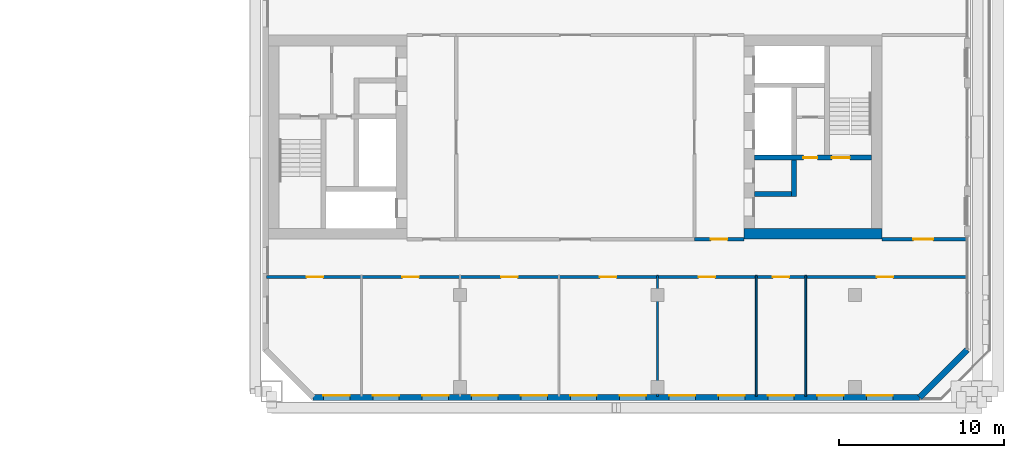
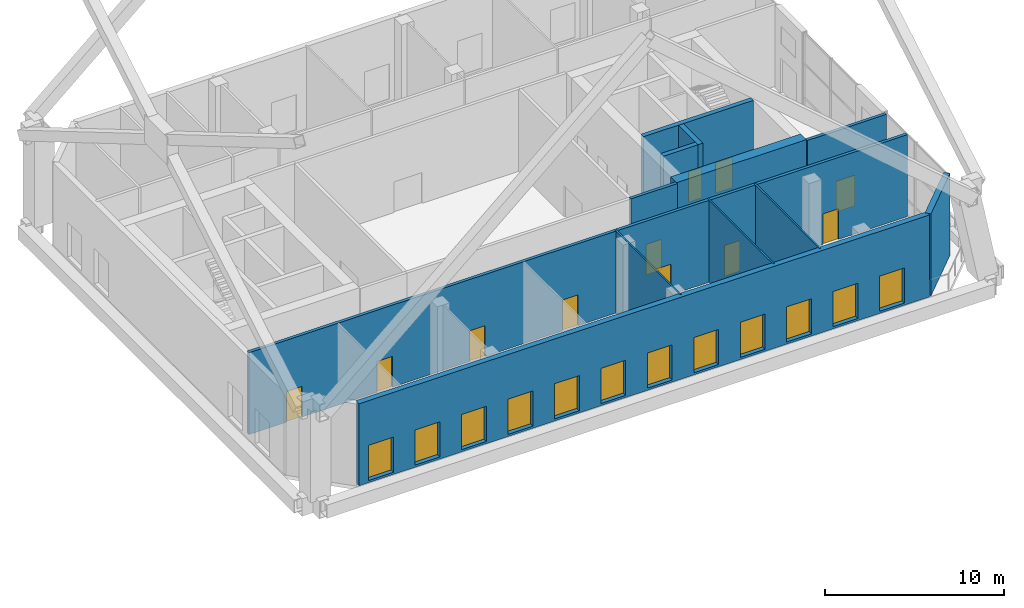
# One storey, part 14 of 20: 12 walls, 12 windows, 11 doors, 23 openings.
"""IFC4 building model written with IfcOpenShell, lengths in metres."""

from ifc_helpers import new_model, si_unit, direction, frame, frame_2d, origin, place, context, subcontext, project, spatial, rectangle, extrude, material, layer, layer_set, type_object, element, fill, save


model = new_model("IFC4")

# Units and contexts
model_context = context("Model", 3, precision=1e-05, world=origin(), true_north=direction((0.0, 1.0)))
body_context = subcontext(model_context, "Body", "Model", "MODEL_VIEW")
ifc_project = project(units=[si_unit("LENGTHUNIT", "METRE"), si_unit("AREAUNIT", "SQUARE_METRE"), si_unit("VOLUMEUNIT", "CUBIC_METRE"), si_unit("PLANEANGLEUNIT", "RADIAN"), si_unit("MASSUNIT", "GRAM", prefix="KILO")], contexts=[model_context])

# Site, building, storey
site_placement = place(None, origin())
site = spatial("IfcSite", under=ifc_project, at=site_placement, CompositionType="ELEMENT")
building_placement = place(site_placement, origin())
building = spatial("IfcBuilding", under=site, at=building_placement, Name="Tuart Gate Housing", CompositionType="ELEMENT")
storey_placement = place(building_placement, frame((0.0, 0.0, 90.199951171875)))
storey = spatial("IfcBuildingStorey", under=building, at=storey_placement, Name="L25", CompositionType="ELEMENT", Elevation=90.199951171875)

# Wall, openings, windows
ifc_material_1 = material(Name="Brick", Category="masonry")
ifc_layer_1 = layer(ifc_material_1, 0.360107421875)
ifc_layer_set_1 = layer_set([ifc_layer_1], Name="Brick pier and spandrel wall 360")
wall_type_1 = type_object("IfcWallType", Name="Brick pier and spandrel wall 360", PredefinedType="STANDARD", material=ifc_layer_set_1)
wall_1_placement = place(storey_placement, frame((134.07470703125, 54.179931640625, 0.0), z_axis=(0.0, 0.0, 1.0), x_axis=(1.0, 0.0, 0.0)))
wall_1 = element("IfcWall", 1, at=wall_1_placement, inside=storey, type_object=wall_type_1, Name="External wall B-S L25", PredefinedType="STANDARD", context=body_context, shape_type="SweptSolid", body=[
    extrude(rectangle(XDim=36.850830078125, YDim=0.360107421875, at=frame_2d((18.42529296875, 0.0))), origin(), (0.0, 0.0, 1.0), 5.60009765625),
])
opening_1_placement = place(wall_1_placement, frame((0.62548828125, 0.0, 0.14990234375)))
opening_1 = element("IfcOpeningElement", 2, at=opening_1_placement, cuts=wall_1, Name="Opening W2", PredefinedType="OPENING", context=body_context, shape_type="SweptSolid", body=[
    extrude(rectangle(XDim=1.60009765625, YDim=2.39990234375, at=frame_2d((0.800048828125, 1.199951171875))), frame((0.0, 0.18994140625, 0.0), z_axis=(0.0, -1.0, 0.0), x_axis=(1.0, 0.0, 0.0)), (0.0, 0.0, 1.0), 0.380126953125),
])
opening_2_placement = place(wall_1_placement, frame((3.62548828125, 0.0, 0.14990234375)))
opening_2 = element("IfcOpeningElement", 3, at=opening_2_placement, cuts=wall_1, Name="Opening W2", PredefinedType="OPENING", context=body_context, shape_type="SweptSolid", body=[
    extrude(rectangle(XDim=1.60009765625, YDim=2.39990234375, at=frame_2d((0.800048828125, 1.199951171875))), frame((0.0, 0.18994140625, 0.0), z_axis=(0.0, -1.0, 0.0), x_axis=(1.0, 0.0, 0.0)), (0.0, 0.0, 1.0), 0.380126953125),
])
opening_3_placement = place(wall_1_placement, frame((6.62548828125, 0.0, 0.14990234375)))
opening_3 = element("IfcOpeningElement", 4, at=opening_3_placement, cuts=wall_1, Name="Opening W2", PredefinedType="OPENING", context=body_context, shape_type="SweptSolid", body=[
    extrude(rectangle(XDim=1.60009765625, YDim=2.39990234375, at=frame_2d((0.800048828125, 1.199951171875))), frame((0.0, 0.18994140625, 0.0), z_axis=(0.0, -1.0, 0.0), x_axis=(1.0, 0.0, 0.0)), (0.0, 0.0, 1.0), 0.380126953125),
])
opening_4_placement = place(wall_1_placement, frame((9.62548828125, 0.0, 0.14990234375)))
opening_4 = element("IfcOpeningElement", 5, at=opening_4_placement, cuts=wall_1, Name="Opening W2", PredefinedType="OPENING", context=body_context, shape_type="SweptSolid", body=[
    extrude(rectangle(XDim=1.60009765625, YDim=2.39990234375, at=frame_2d((0.800048828125, 1.199951171875))), frame((0.0, 0.18994140625, 0.0), z_axis=(0.0, -1.0, 0.0), x_axis=(1.0, 0.0, 0.0)), (0.0, 0.0, 1.0), 0.380126953125),
])
opening_5_placement = place(wall_1_placement, frame((12.62548828125, 0.0, 0.14990234375)))
opening_5 = element("IfcOpeningElement", 6, at=opening_5_placement, cuts=wall_1, Name="Opening W2", PredefinedType="OPENING", context=body_context, shape_type="SweptSolid", body=[
    extrude(rectangle(XDim=1.60009765625, YDim=2.39990234375, at=frame_2d((0.800048828125, 1.199951171875))), frame((0.0, 0.18994140625, 0.0), z_axis=(0.0, -1.0, 0.0), x_axis=(1.0, 0.0, 0.0)), (0.0, 0.0, 1.0), 0.380126953125),
])
opening_6_placement = place(wall_1_placement, frame((15.62548828125, 0.0, 0.14990234375)))
opening_6 = element("IfcOpeningElement", 7, at=opening_6_placement, cuts=wall_1, Name="Opening W2", PredefinedType="OPENING", context=body_context, shape_type="SweptSolid", body=[
    extrude(rectangle(XDim=1.60009765625, YDim=2.39990234375, at=frame_2d((0.800048828125, 1.199951171875))), frame((0.0, 0.18994140625, 0.0), z_axis=(0.0, -1.0, 0.0), x_axis=(1.0, 0.0, 0.0)), (0.0, 0.0, 1.0), 0.380126953125),
])
opening_7_placement = place(wall_1_placement, frame((18.62548828125, 0.0, 0.14990234375)))
opening_7 = element("IfcOpeningElement", 8, at=opening_7_placement, cuts=wall_1, Name="Opening W2", PredefinedType="OPENING", context=body_context, shape_type="SweptSolid", body=[
    extrude(rectangle(XDim=1.60009765625, YDim=2.39990234375, at=frame_2d((0.800048828125, 1.199951171875))), frame((0.0, 0.18994140625, 0.0), z_axis=(0.0, -1.0, 0.0), x_axis=(1.0, 0.0, 0.0)), (0.0, 0.0, 1.0), 0.380126953125),
])
opening_8_placement = place(wall_1_placement, frame((21.62548828125, 0.0, 0.14990234375)))
opening_8 = element("IfcOpeningElement", 9, at=opening_8_placement, cuts=wall_1, Name="Opening W2", PredefinedType="OPENING", context=body_context, shape_type="SweptSolid", body=[
    extrude(rectangle(XDim=1.60009765625, YDim=2.39990234375, at=frame_2d((0.800048828125, 1.199951171875))), frame((0.0, 0.18994140625, 0.0), z_axis=(0.0, -1.0, 0.0), x_axis=(1.0, 0.0, 0.0)), (0.0, 0.0, 1.0), 0.380126953125),
])
opening_9_placement = place(wall_1_placement, frame((24.62548828125, 0.0, 0.14990234375)))
opening_9 = element("IfcOpeningElement", 10, at=opening_9_placement, cuts=wall_1, Name="Opening W2", PredefinedType="OPENING", context=body_context, shape_type="SweptSolid", body=[
    extrude(rectangle(XDim=1.60009765625, YDim=2.39990234375, at=frame_2d((0.800048828125, 1.199951171875))), frame((0.0, 0.18994140625, 0.0), z_axis=(0.0, -1.0, 0.0), x_axis=(1.0, 0.0, 0.0)), (0.0, 0.0, 1.0), 0.380126953125),
])
opening_10_placement = place(wall_1_placement, frame((27.62548828125, 0.0, 0.14990234375)))
opening_10 = element("IfcOpeningElement", 11, at=opening_10_placement, cuts=wall_1, Name="Opening W2", PredefinedType="OPENING", context=body_context, shape_type="SweptSolid", body=[
    extrude(rectangle(XDim=1.60009765625, YDim=2.39990234375, at=frame_2d((0.800048828125, 1.199951171875))), frame((0.0, 0.18994140625, 0.0), z_axis=(0.0, -1.0, 0.0), x_axis=(1.0, 0.0, 0.0)), (0.0, 0.0, 1.0), 0.380126953125),
])
opening_11_placement = place(wall_1_placement, frame((30.62548828125, 0.0, 0.14990234375)))
opening_11 = element("IfcOpeningElement", 12, at=opening_11_placement, cuts=wall_1, Name="Opening W2", PredefinedType="OPENING", context=body_context, shape_type="SweptSolid", body=[
    extrude(rectangle(XDim=1.60009765625, YDim=2.39990234375, at=frame_2d((0.800048828125, 1.199951171875))), frame((0.0, 0.18994140625, 0.0), z_axis=(0.0, -1.0, 0.0), x_axis=(1.0, 0.0, 0.0)), (0.0, 0.0, 1.0), 0.380126953125),
])
opening_12_placement = place(wall_1_placement, frame((33.62548828125, 0.0, 0.14990234375)))
opening_12 = element("IfcOpeningElement", 13, at=opening_12_placement, cuts=wall_1, Name="Opening W2", PredefinedType="OPENING", context=body_context, shape_type="SweptSolid", body=[
    extrude(rectangle(XDim=1.60009765625, YDim=2.39990234375, at=frame_2d((0.800048828125, 1.199951171875))), frame((0.0, 0.18994140625, 0.0), z_axis=(0.0, -1.0, 0.0), x_axis=(1.0, 0.0, 0.0)), (0.0, 0.0, 1.0), 0.380126953125),
])
ifc_material_2 = material(Name="Aluminium frame with clear glass", Category="aluminium")
window_type = type_object("IfcWindowType", Name="Garden lounge window 1600 x 2400", PartitioningType="SINGLE_PANEL", PredefinedType="WINDOW", material=ifc_material_2)
window_1_placement = place(opening_1_placement, origin())
window_1 = element("IfcWindow", 14, at=window_1_placement, inside=storey, type_object=window_type, Name="Window W2", OverallHeight=2.39990234375, OverallWidth=1.60009765625, PartitioningType="SINGLE_PANEL", PredefinedType="WINDOW", context=body_context, shape_type="SweptSolid", body=[
    extrude(rectangle(XDim=1.60009765625, YDim=2.39990234375, at=frame_2d((0.800048828125, 1.199951171875))), frame((0.0, 0.150146484375, 0.0), z_axis=(0.0, -1.0, 0.0), x_axis=(1.0, 0.0, 0.0)), (0.0, 0.0, 1.0), 0.06005859375),
])
fill(opening_1, window_1)
window_2_placement = place(opening_2_placement, origin())
window_2 = element("IfcWindow", 15, at=window_2_placement, inside=storey, type_object=window_type, Name="Window W2", OverallHeight=2.39990234375, OverallWidth=1.60009765625, PartitioningType="SINGLE_PANEL", PredefinedType="WINDOW", context=body_context, shape_type="SweptSolid", body=[
    extrude(rectangle(XDim=1.60009765625, YDim=2.39990234375, at=frame_2d((0.800048828125, 1.199951171875))), frame((0.0, 0.150146484375, 0.0), z_axis=(0.0, -1.0, 0.0), x_axis=(1.0, 0.0, 0.0)), (0.0, 0.0, 1.0), 0.06005859375),
])
fill(opening_2, window_2)
window_3_placement = place(opening_3_placement, origin())
window_3 = element("IfcWindow", 16, at=window_3_placement, inside=storey, type_object=window_type, Name="Window W2", OverallHeight=2.39990234375, OverallWidth=1.60009765625, PartitioningType="SINGLE_PANEL", PredefinedType="WINDOW", context=body_context, shape_type="SweptSolid", body=[
    extrude(rectangle(XDim=1.60009765625, YDim=2.39990234375, at=frame_2d((0.800048828125, 1.199951171875))), frame((0.0, 0.150146484375, 0.0), z_axis=(0.0, -1.0, 0.0), x_axis=(1.0, 0.0, 0.0)), (0.0, 0.0, 1.0), 0.06005859375),
])
fill(opening_3, window_3)
window_4_placement = place(opening_4_placement, origin())
window_4 = element("IfcWindow", 17, at=window_4_placement, inside=storey, type_object=window_type, Name="Window W2", OverallHeight=2.39990234375, OverallWidth=1.60009765625, PartitioningType="SINGLE_PANEL", PredefinedType="WINDOW", context=body_context, shape_type="SweptSolid", body=[
    extrude(rectangle(XDim=1.60009765625, YDim=2.39990234375, at=frame_2d((0.800048828125, 1.199951171875))), frame((0.0, 0.150146484375, 0.0), z_axis=(0.0, -1.0, 0.0), x_axis=(1.0, 0.0, 0.0)), (0.0, 0.0, 1.0), 0.06005859375),
])
fill(opening_4, window_4)
window_5_placement = place(opening_5_placement, origin())
window_5 = element("IfcWindow", 18, at=window_5_placement, inside=storey, type_object=window_type, Name="Window W2", OverallHeight=2.39990234375, OverallWidth=1.60009765625, PartitioningType="SINGLE_PANEL", PredefinedType="WINDOW", context=body_context, shape_type="SweptSolid", body=[
    extrude(rectangle(XDim=1.60009765625, YDim=2.39990234375, at=frame_2d((0.800048828125, 1.199951171875))), frame((0.0, 0.150146484375, 0.0), z_axis=(0.0, -1.0, 0.0), x_axis=(1.0, 0.0, 0.0)), (0.0, 0.0, 1.0), 0.06005859375),
])
fill(opening_5, window_5)
window_6_placement = place(opening_6_placement, origin())
window_6 = element("IfcWindow", 19, at=window_6_placement, inside=storey, type_object=window_type, Name="Window W2", OverallHeight=2.39990234375, OverallWidth=1.60009765625, PartitioningType="SINGLE_PANEL", PredefinedType="WINDOW", context=body_context, shape_type="SweptSolid", body=[
    extrude(rectangle(XDim=1.60009765625, YDim=2.39990234375, at=frame_2d((0.800048828125, 1.199951171875))), frame((0.0, 0.150146484375, 0.0), z_axis=(0.0, -1.0, 0.0), x_axis=(1.0, 0.0, 0.0)), (0.0, 0.0, 1.0), 0.06005859375),
])
fill(opening_6, window_6)
window_7_placement = place(opening_7_placement, origin())
window_7 = element("IfcWindow", 20, at=window_7_placement, inside=storey, type_object=window_type, Name="Window W2", OverallHeight=2.39990234375, OverallWidth=1.60009765625, PartitioningType="SINGLE_PANEL", PredefinedType="WINDOW", context=body_context, shape_type="SweptSolid", body=[
    extrude(rectangle(XDim=1.60009765625, YDim=2.39990234375, at=frame_2d((0.800048828125, 1.199951171875))), frame((0.0, 0.150146484375, 0.0), z_axis=(0.0, -1.0, 0.0), x_axis=(1.0, 0.0, 0.0)), (0.0, 0.0, 1.0), 0.06005859375),
])
fill(opening_7, window_7)
window_8_placement = place(opening_8_placement, origin())
window_8 = element("IfcWindow", 21, at=window_8_placement, inside=storey, type_object=window_type, Name="Window W2", OverallHeight=2.39990234375, OverallWidth=1.60009765625, PartitioningType="SINGLE_PANEL", PredefinedType="WINDOW", context=body_context, shape_type="SweptSolid", body=[
    extrude(rectangle(XDim=1.60009765625, YDim=2.39990234375, at=frame_2d((0.800048828125, 1.199951171875))), frame((0.0, 0.150146484375, 0.0), z_axis=(0.0, -1.0, 0.0), x_axis=(1.0, 0.0, 0.0)), (0.0, 0.0, 1.0), 0.06005859375),
])
fill(opening_8, window_8)
window_9_placement = place(opening_9_placement, origin())
window_9 = element("IfcWindow", 22, at=window_9_placement, inside=storey, type_object=window_type, Name="Window W2", OverallHeight=2.39990234375, OverallWidth=1.60009765625, PartitioningType="SINGLE_PANEL", PredefinedType="WINDOW", context=body_context, shape_type="SweptSolid", body=[
    extrude(rectangle(XDim=1.60009765625, YDim=2.39990234375, at=frame_2d((0.800048828125, 1.199951171875))), frame((0.0, 0.150146484375, 0.0), z_axis=(0.0, -1.0, 0.0), x_axis=(1.0, 0.0, 0.0)), (0.0, 0.0, 1.0), 0.06005859375),
])
fill(opening_9, window_9)
window_10_placement = place(opening_10_placement, origin())
window_10 = element("IfcWindow", 23, at=window_10_placement, inside=storey, type_object=window_type, Name="Window W2", OverallHeight=2.39990234375, OverallWidth=1.60009765625, PartitioningType="SINGLE_PANEL", PredefinedType="WINDOW", context=body_context, shape_type="SweptSolid", body=[
    extrude(rectangle(XDim=1.60009765625, YDim=2.39990234375, at=frame_2d((0.800048828125, 1.199951171875))), frame((0.0, 0.150146484375, 0.0), z_axis=(0.0, -1.0, 0.0), x_axis=(1.0, 0.0, 0.0)), (0.0, 0.0, 1.0), 0.06005859375),
])
fill(opening_10, window_10)
window_11_placement = place(opening_11_placement, origin())
window_11 = element("IfcWindow", 24, at=window_11_placement, inside=storey, type_object=window_type, Name="Window W2", OverallHeight=2.39990234375, OverallWidth=1.60009765625, PartitioningType="SINGLE_PANEL", PredefinedType="WINDOW", context=body_context, shape_type="SweptSolid", body=[
    extrude(rectangle(XDim=1.60009765625, YDim=2.39990234375, at=frame_2d((0.800048828125, 1.199951171875))), frame((0.0, 0.150146484375, 0.0), z_axis=(0.0, -1.0, 0.0), x_axis=(1.0, 0.0, 0.0)), (0.0, 0.0, 1.0), 0.06005859375),
])
fill(opening_11, window_11)
window_12_placement = place(opening_12_placement, origin())
window_12 = element("IfcWindow", 25, at=window_12_placement, inside=storey, type_object=window_type, Name="Window W2", OverallHeight=2.39990234375, OverallWidth=1.60009765625, PartitioningType="SINGLE_PANEL", PredefinedType="WINDOW", context=body_context, shape_type="SweptSolid", body=[
    extrude(rectangle(XDim=1.60009765625, YDim=2.39990234375, at=frame_2d((0.800048828125, 1.199951171875))), frame((0.0, 0.150146484375, 0.0), z_axis=(0.0, -1.0, 0.0), x_axis=(1.0, 0.0, 0.0)), (0.0, 0.0, 1.0), 0.06005859375),
])
fill(opening_12, window_12)

# Wall
wall_2_placement = place(storey_placement, frame((170.92529296875, 54.179931640625, 0.0), z_axis=(0.0, 0.0, 1.0), x_axis=(0.707106781187, 0.707106781187, 0.0)))
element("IfcWall", 26, at=wall_2_placement, inside=storey, type_object=wall_type_1, Name="External wall B-SE L25", PredefinedType="STANDARD", context=body_context, shape_type="SweptSolid", body=[
    extrude(rectangle(XDim=4.09375, YDim=0.360107421875, at=frame_2d((2.046875, 0.0))), origin(), (0.0, 0.0, 1.0), 5.60009765625),
])

# Wall, openings, doors
ifc_material_3 = material(Name="Concrete C50", Category="concrete")
ifc_layer_2 = layer(ifc_material_3, 0.300048828125)
ifc_layer_set_2 = layer_set([ifc_layer_2], Name="Core wall 300 C50")
wall_type_2 = type_object("IfcWallType", Name="Core wall 300 C50", PredefinedType="SHEAR", material=ifc_layer_set_2)
wall_3_placement = place(storey_placement, frame((160.889892578125, 68.75, 0.0), z_axis=(0.0, 0.0, 1.0), x_axis=(1.0, 0.0, 0.0)))
wall_3 = element("IfcWall", 27, at=wall_3_placement, inside=storey, type_object=wall_type_2, Name="Core wall BK.3", PredefinedType="SHEAR", context=body_context, shape_type="SweptSolid", body=[
    extrude(rectangle(XDim=7.10009765625, YDim=0.300048828125, at=frame_2d((3.550048828125, 0.0))), origin(), (0.0, 0.0, 1.0), 5.60009765625),
])
opening_13_placement = place(wall_3_placement, frame((4.699951171875, 0.0, 0.0)))
opening_13 = element("IfcOpeningElement", 28, at=opening_13_placement, cuts=wall_3, Name="Opening D2916", PredefinedType="OPENING", context=body_context, shape_type="SweptSolid", body=[
    extrude(rectangle(XDim=1.10009765625, YDim=2.10009765625, at=frame_2d((0.550048828125, 1.050048828125))), frame((0.0, 0.159912109375, 0.0), z_axis=(0.0, -1.0, 0.0), x_axis=(1.0, 0.0, 0.0)), (0.0, 0.0, 1.0), 0.320068359375),
])
opening_14_placement = place(wall_3_placement, frame((2.97509765625, 0.0, 0.0)))
opening_14 = element("IfcOpeningElement", 29, at=opening_14_placement, cuts=wall_3, Name="Opening D2915", PredefinedType="OPENING", context=body_context, shape_type="SweptSolid", body=[
    extrude(rectangle(XDim=0.85009765625, YDim=2.10009765625, at=frame_2d((0.425048828125, 1.050048828125))), frame((0.0, 0.159912109375, 0.0), z_axis=(0.0, -1.0, 0.0), x_axis=(1.0, 0.0, 0.0)), (0.0, 0.0, 1.0), 0.320068359375),
])
ifc_material_4 = material(Name="Steel fire door", Category="steel")
door_type_1 = type_object("IfcDoorType", Name="Riser door 850 x 2100", OperationType="SINGLE_SWING_LEFT", PredefinedType="DOOR", material=ifc_material_4)
door_1_placement = place(opening_14_placement, origin())
door_1 = element("IfcDoor", 30, at=door_1_placement, inside=storey, type_object=door_type_1, Name="Service room door BK.W1", OperationType="SINGLE_SWING_LEFT", OverallHeight=2.10009765625, OverallWidth=0.85009765625, PredefinedType="DOOR", context=body_context, shape_type="SweptSolid", body=[
    extrude(rectangle(XDim=0.85009765625, YDim=2.10009765625, at=frame_2d((0.425048828125, 1.050048828125))), frame((0.0, 0.02490234375, 0.0), z_axis=(0.0, -1.0, 0.0), x_axis=(1.0, 0.0, 0.0)), (0.0, 0.0, 1.0), 0.050048828125),
])
fill(opening_14, door_1)
ifc_material_5 = material(Name="Steel fire door", Category="steel")
door_type_2 = type_object("IfcDoorType", Name="Stair door 1100 x 2100", OperationType="SINGLE_SWING_LEFT", PredefinedType="DOOR", material=ifc_material_5)
door_2_placement = place(opening_13_placement, origin())
door_2 = element("IfcDoor", 31, at=door_2_placement, inside=storey, type_object=door_type_2, Name="Stair door BK.SD", OperationType="SINGLE_SWING_LEFT", OverallHeight=2.10009765625, OverallWidth=1.10009765625, PredefinedType="DOOR", context=body_context, shape_type="SweptSolid", body=[
    extrude(rectangle(XDim=1.10009765625, YDim=2.10009765625, at=frame_2d((0.550048828125, 1.050048828125))), frame((0.0, 0.02490234375, 0.0), z_axis=(0.0, -1.0, 0.0), x_axis=(1.0, 0.0, 0.0)), (0.0, 0.0, 1.0), 0.050048828125),
])
fill(opening_13, door_2)

# Walls
wall_4_placement = place(storey_placement, frame((160.889892578125, 66.550048828125, 0.0), z_axis=(0.0, 0.0, 1.0), x_axis=(1.0, 0.0, 0.0)))
element("IfcWall", 32, at=wall_4_placement, inside=storey, type_object=wall_type_2, Name="Core wall BK.4", PredefinedType="SHEAR", context=body_context, shape_type="SweptSolid", body=[
    extrude(rectangle(XDim=2.25, YDim=0.300048828125, at=frame_2d((1.125, 0.0))), origin(), (0.0, 0.0, 1.0), 5.60009765625),
])
wall_5_placement = place(storey_placement, frame((163.2900390625, 68.60009765625, 0.0), z_axis=(0.0, 0.0, 1.0), x_axis=(0.0, -1.0, 0.0)))
element("IfcWall", 33, at=wall_5_placement, inside=storey, type_object=wall_type_2, Name="Core wall BK.6", PredefinedType="SHEAR", context=body_context, shape_type="SweptSolid", body=[
    extrude(rectangle(XDim=2.2001953125, YDim=0.300048828125, at=frame_2d((1.10009765625, 0.0))), origin(), (0.0, 0.0, 1.0), 5.60009765625),
])
ifc_material_6 = material(Name="Concrete C50", Category="concrete")
ifc_layer_3 = layer(ifc_material_6, 0.64990234375)
ifc_layer_set_3 = layer_set([ifc_layer_3], Name="Core wall 650 C50")
wall_type_3 = type_object("IfcWallType", Name="Core wall 650 C50", PredefinedType="SHEAR", material=ifc_layer_set_3)
wall_6_placement = place(storey_placement, frame((160.239990234375, 64.125, 0.0), z_axis=(0.0, 0.0, 1.0), x_axis=(1.0, 0.0, 0.0)))
element("IfcWall", 34, at=wall_6_placement, inside=storey, type_object=wall_type_3, Name="Core wall BK north", PredefinedType="SHEAR", context=body_context, shape_type="SweptSolid", body=[
    extrude(rectangle(XDim=8.39990234375, YDim=0.64990234375, at=frame_2d((4.199951171875, 0.0))), origin(), (0.0, 0.0, 1.0), 5.60009765625),
])

# Wall, openings, doors
ifc_material_7 = material(Name="Concrete masonry 15 MPa", Category="masonry")
ifc_layer_4 = layer(ifc_material_7, 0.199951171875)
ifc_layer_set_4 = layer_set([ifc_layer_4], Name="Corridor wall masonry 200")
wall_type_4 = type_object("IfcWallType", Name="Corridor wall masonry 200", PredefinedType="PARTITIONING", material=ifc_layer_set_4)
wall_7_placement = place(storey_placement, frame((131.239990234375, 61.5, 0.0), z_axis=(0.0, 0.0, 1.0), x_axis=(1.0, 0.0, 0.0)))
wall_7 = element("IfcWall", 35, at=wall_7_placement, inside=storey, type_object=wall_type_4, Name="Corridor wall masonry 200", PredefinedType="PARTITIONING", context=body_context, shape_type="SweptSolid", body=[
    extrude(rectangle(XDim=42.52001953125, YDim=0.199951171875, at=frame_2d((21.260009765625, 0.0))), origin(), (0.0, 0.0, 1.0), 5.60009765625),
])
opening_15_placement = place(wall_7_placement, frame((2.43994140625, 0.0, 0.0)))
opening_15 = element("IfcOpeningElement", 36, at=opening_15_placement, cuts=wall_7, Name="Opening D2922", PredefinedType="OPENING", context=body_context, shape_type="SweptSolid", body=[
    extrude(rectangle(XDim=1.0, YDim=2.10009765625, at=frame_2d((0.5, 1.050048828125))), frame((0.0, 0.10986328125, 0.0), z_axis=(0.0, -1.0, 0.0), x_axis=(1.0, 0.0, 0.0)), (0.0, 0.0, 1.0), 0.219970703125),
])
opening_16_placement = place(wall_7_placement, frame((8.260009765625, 0.0, 0.0)))
opening_16 = element("IfcOpeningElement", 37, at=opening_16_placement, cuts=wall_7, Name="Opening D2923", PredefinedType="OPENING", context=body_context, shape_type="SweptSolid", body=[
    extrude(rectangle(XDim=1.0, YDim=2.10009765625, at=frame_2d((0.5, 1.050048828125))), frame((0.0, 0.10986328125, 0.0), z_axis=(0.0, -1.0, 0.0), x_axis=(1.0, 0.0, 0.0)), (0.0, 0.0, 1.0), 0.219970703125),
])
opening_17_placement = place(wall_7_placement, frame((14.260009765625, 0.0, 0.0)))
opening_17 = element("IfcOpeningElement", 38, at=opening_17_placement, cuts=wall_7, Name="Opening D2924", PredefinedType="OPENING", context=body_context, shape_type="SweptSolid", body=[
    extrude(rectangle(XDim=1.0, YDim=2.10009765625, at=frame_2d((0.5, 1.050048828125))), frame((0.0, 0.10986328125, 0.0), z_axis=(0.0, -1.0, 0.0), x_axis=(1.0, 0.0, 0.0)), (0.0, 0.0, 1.0), 0.219970703125),
])
opening_18_placement = place(wall_7_placement, frame((20.260009765625, 0.0, 0.0)))
opening_18 = element("IfcOpeningElement", 39, at=opening_18_placement, cuts=wall_7, Name="Opening D2925", PredefinedType="OPENING", context=body_context, shape_type="SweptSolid", body=[
    extrude(rectangle(XDim=1.0, YDim=2.10009765625, at=frame_2d((0.5, 1.050048828125))), frame((0.0, 0.10986328125, 0.0), z_axis=(0.0, -1.0, 0.0), x_axis=(1.0, 0.0, 0.0)), (0.0, 0.0, 1.0), 0.219970703125),
])
opening_19_placement = place(wall_7_placement, frame((26.260009765625, 0.0, 0.0)))
opening_19 = element("IfcOpeningElement", 40, at=opening_19_placement, cuts=wall_7, Name="Opening D2926", PredefinedType="OPENING", context=body_context, shape_type="SweptSolid", body=[
    extrude(rectangle(XDim=1.0, YDim=2.10009765625, at=frame_2d((0.5, 1.050048828125))), frame((0.0, 0.10986328125, 0.0), z_axis=(0.0, -1.0, 0.0), x_axis=(1.0, 0.0, 0.0)), (0.0, 0.0, 1.0), 0.219970703125),
])
opening_20_placement = place(wall_7_placement, frame((30.760009765625, 0.0, 0.0)))
opening_20 = element("IfcOpeningElement", 41, at=opening_20_placement, cuts=wall_7, Name="Opening D2927", PredefinedType="OPENING", context=body_context, shape_type="SweptSolid", body=[
    extrude(rectangle(XDim=1.0, YDim=2.10009765625, at=frame_2d((0.5, 1.050048828125))), frame((0.0, 0.10986328125, 0.0), z_axis=(0.0, -1.0, 0.0), x_axis=(1.0, 0.0, 0.0)), (0.0, 0.0, 1.0), 0.219970703125),
])
opening_21_placement = place(wall_7_placement, frame((37.080078125, 0.0, 0.0)))
opening_21 = element("IfcOpeningElement", 42, at=opening_21_placement, cuts=wall_7, Name="Opening D2928", PredefinedType="OPENING", context=body_context, shape_type="SweptSolid", body=[
    extrude(rectangle(XDim=1.0, YDim=2.10009765625, at=frame_2d((0.5, 1.050048828125))), frame((0.0, 0.10986328125, 0.0), z_axis=(0.0, -1.0, 0.0), x_axis=(1.0, 0.0, 0.0)), (0.0, 0.0, 1.0), 0.219970703125),
])
ifc_material_8 = material(Name="Timber door leaf in steel frame", Category="steel")
door_type_3 = type_object("IfcDoorType", Name="Fire door 1000 RH", OperationType="SINGLE_SWING_RIGHT", PredefinedType="DOOR", material=ifc_material_8)
door_3_placement = place(opening_15_placement, frame((1.0, 0.0, 0.0), z_axis=(0.0, 0.0, 1.0), x_axis=(-1.0, 0.0, 0.0)))
door_3 = element("IfcDoor", 43, at=door_3_placement, inside=storey, type_object=door_type_3, Name="Fire door 1000", OperationType="SINGLE_SWING_RIGHT", OverallHeight=2.10009765625, OverallWidth=1.0, PredefinedType="DOOR", context=body_context, shape_type="SweptSolid", body=[
    extrude(rectangle(XDim=1.0, YDim=2.10009765625, at=frame_2d((0.5, 1.050048828125))), frame((0.0, 0.025146484375, 0.0), z_axis=(0.0, -1.0, 0.0), x_axis=(1.0, 0.0, 0.0)), (0.0, 0.0, 1.0), 0.050048828125),
])
fill(opening_15, door_3)
door_4_placement = place(opening_16_placement, frame((1.0, 0.0, 0.0), z_axis=(0.0, 0.0, 1.0), x_axis=(-1.0, 0.0, 0.0)))
door_4 = element("IfcDoor", 44, at=door_4_placement, inside=storey, type_object=door_type_3, Name="Fire door 1000", OperationType="SINGLE_SWING_RIGHT", OverallHeight=2.10009765625, OverallWidth=1.0, PredefinedType="DOOR", context=body_context, shape_type="SweptSolid", body=[
    extrude(rectangle(XDim=1.0, YDim=2.10009765625, at=frame_2d((0.5, 1.050048828125))), frame((0.0, 0.025146484375, 0.0), z_axis=(0.0, -1.0, 0.0), x_axis=(1.0, 0.0, 0.0)), (0.0, 0.0, 1.0), 0.050048828125),
])
fill(opening_16, door_4)
door_5_placement = place(opening_17_placement, frame((1.0, 0.0, 0.0), z_axis=(0.0, 0.0, 1.0), x_axis=(-1.0, 0.0, 0.0)))
door_5 = element("IfcDoor", 45, at=door_5_placement, inside=storey, type_object=door_type_3, Name="Fire door 1000", OperationType="SINGLE_SWING_RIGHT", OverallHeight=2.10009765625, OverallWidth=1.0, PredefinedType="DOOR", context=body_context, shape_type="SweptSolid", body=[
    extrude(rectangle(XDim=1.0, YDim=2.10009765625, at=frame_2d((0.5, 1.050048828125))), frame((0.0, 0.025146484375, 0.0), z_axis=(0.0, -1.0, 0.0), x_axis=(1.0, 0.0, 0.0)), (0.0, 0.0, 1.0), 0.050048828125),
])
fill(opening_17, door_5)
door_6_placement = place(opening_18_placement, frame((1.0, 0.0, 0.0), z_axis=(0.0, 0.0, 1.0), x_axis=(-1.0, 0.0, 0.0)))
door_6 = element("IfcDoor", 46, at=door_6_placement, inside=storey, type_object=door_type_3, Name="Fire door 1000", OperationType="SINGLE_SWING_RIGHT", OverallHeight=2.10009765625, OverallWidth=1.0, PredefinedType="DOOR", context=body_context, shape_type="SweptSolid", body=[
    extrude(rectangle(XDim=1.0, YDim=2.10009765625, at=frame_2d((0.5, 1.050048828125))), frame((0.0, 0.025146484375, 0.0), z_axis=(0.0, -1.0, 0.0), x_axis=(1.0, 0.0, 0.0)), (0.0, 0.0, 1.0), 0.050048828125),
])
fill(opening_18, door_6)
door_7_placement = place(opening_19_placement, frame((1.0, 0.0, 0.0), z_axis=(0.0, 0.0, 1.0), x_axis=(-1.0, 0.0, 0.0)))
door_7 = element("IfcDoor", 47, at=door_7_placement, inside=storey, type_object=door_type_3, Name="Fire door 1000", OperationType="SINGLE_SWING_RIGHT", OverallHeight=2.10009765625, OverallWidth=1.0, PredefinedType="DOOR", context=body_context, shape_type="SweptSolid", body=[
    extrude(rectangle(XDim=1.0, YDim=2.10009765625, at=frame_2d((0.5, 1.050048828125))), frame((0.0, 0.025146484375, 0.0), z_axis=(0.0, -1.0, 0.0), x_axis=(1.0, 0.0, 0.0)), (0.0, 0.0, 1.0), 0.050048828125),
])
fill(opening_19, door_7)
door_8_placement = place(opening_20_placement, frame((1.0, 0.0, 0.0), z_axis=(0.0, 0.0, 1.0), x_axis=(-1.0, 0.0, 0.0)))
door_8 = element("IfcDoor", 48, at=door_8_placement, inside=storey, type_object=door_type_3, Name="Fire door 1000", OperationType="SINGLE_SWING_RIGHT", OverallHeight=2.10009765625, OverallWidth=1.0, PredefinedType="DOOR", context=body_context, shape_type="SweptSolid", body=[
    extrude(rectangle(XDim=1.0, YDim=2.10009765625, at=frame_2d((0.5, 1.050048828125))), frame((0.0, 0.025146484375, 0.0), z_axis=(0.0, -1.0, 0.0), x_axis=(1.0, 0.0, 0.0)), (0.0, 0.0, 1.0), 0.050048828125),
])
fill(opening_20, door_8)
door_9_placement = place(opening_21_placement, frame((1.0, 0.0, 0.0), z_axis=(0.0, 0.0, 1.0), x_axis=(-1.0, 0.0, 0.0)))
door_9 = element("IfcDoor", 49, at=door_9_placement, inside=storey, type_object=door_type_3, Name="Fire door 1000", OperationType="SINGLE_SWING_RIGHT", OverallHeight=2.10009765625, OverallWidth=1.0, PredefinedType="DOOR", context=body_context, shape_type="SweptSolid", body=[
    extrude(rectangle(XDim=1.0, YDim=2.10009765625, at=frame_2d((0.5, 1.050048828125))), frame((0.0, 0.025146484375, 0.0), z_axis=(0.0, -1.0, 0.0), x_axis=(1.0, 0.0, 0.0)), (0.0, 0.0, 1.0), 0.050048828125),
])
fill(opening_21, door_9)

# Wall, opening, door
wall_8_placement = place(storey_placement, frame((168.639892578125, 63.800048828125, 0.0), z_axis=(0.0, 0.0, 1.0), x_axis=(1.0, 0.0, 0.0)))
wall_8 = element("IfcWall", 50, at=wall_8_placement, inside=storey, type_object=wall_type_4, Name="Corridor wall masonry 200", PredefinedType="PARTITIONING", context=body_context, shape_type="SweptSolid", body=[
    extrude(rectangle(XDim=5.1201171875, YDim=0.199951171875, at=frame_2d((2.56005859375, 0.0))), origin(), (0.0, 0.0, 1.0), 5.60009765625),
])
opening_22_placement = place(wall_8_placement, frame((1.89990234375, 0.0, 0.0)))
opening_22 = element("IfcOpeningElement", 51, at=opening_22_placement, cuts=wall_8, Name="Opening D2921", PredefinedType="OPENING", context=body_context, shape_type="SweptSolid", body=[
    extrude(rectangle(XDim=1.199951171875, YDim=2.10009765625, at=frame_2d((0.60009765625, 1.050048828125))), frame((0.0, 0.10986328125, 0.0), z_axis=(0.0, -1.0, 0.0), x_axis=(1.0, 0.0, 0.0)), (0.0, 0.0, 1.0), 0.219970703125),
])
ifc_material_9 = material(Name="Timber door leaf in steel frame", Category="steel")
door_type_4 = type_object("IfcDoorType", Name="Fire door 1200", OperationType="SINGLE_SWING_LEFT", PredefinedType="DOOR", material=ifc_material_9)
door_10_placement = place(opening_22_placement, origin())
door_10 = element("IfcDoor", 52, at=door_10_placement, inside=storey, type_object=door_type_4, Name="Fire door 1200", OperationType="SINGLE_SWING_LEFT", OverallHeight=2.10009765625, OverallWidth=1.199951171875, PredefinedType="DOOR", context=body_context, shape_type="SweptSolid", body=[
    extrude(rectangle(XDim=1.199951171875, YDim=2.10009765625, at=frame_2d((0.60009765625, 1.050048828125))), frame((0.0, 0.02490234375, 0.0), z_axis=(0.0, -1.0, 0.0), x_axis=(1.0, 0.0, 0.0)), (0.0, 0.0, 1.0), 0.050048828125),
])
fill(opening_22, door_10)

ifc_material_10 = material(Name="Concrete masonry 15 MPa", Category="masonry")
ifc_layer_5 = layer(ifc_material_10, 0.199951171875)
ifc_layer_set_5 = layer_set([ifc_layer_5], Name="Enclosure wall masonry 200")
wall_type_5 = type_object("IfcWallType", Name="Enclosure wall masonry 200", PredefinedType="PARTITIONING", material=ifc_layer_set_5)
wall_9_placement = place(storey_placement, frame((157.239990234375, 63.800048828125, 0.0), z_axis=(0.0, 0.0, 1.0), x_axis=(1.0, 0.0, 0.0)))
wall_9 = element("IfcWall", 53, at=wall_9_placement, inside=storey, type_object=wall_type_5, Name="Enclosure wall masonry 200", PredefinedType="PARTITIONING", context=body_context, shape_type="SweptSolid", body=[
    extrude(rectangle(XDim=3.0, YDim=0.199951171875, at=frame_2d((1.5, 0.0))), origin(), (0.0, 0.0, 1.0), 5.60009765625),
])
opening_23_placement = place(wall_9_placement, frame((1.0, 0.0, 0.0)))
opening_23 = element("IfcOpeningElement", 54, at=opening_23_placement, cuts=wall_9, Name="Opening D2920", PredefinedType="OPENING", context=body_context, shape_type="SweptSolid", body=[
    extrude(rectangle(XDim=1.0, YDim=2.10009765625, at=frame_2d((0.5, 1.050048828125))), frame((0.0, 0.10986328125, 0.0), z_axis=(0.0, -1.0, 0.0), x_axis=(1.0, 0.0, 0.0)), (0.0, 0.0, 1.0), 0.219970703125),
])
ifc_material_11 = material(Name="Timber door leaf in steel frame", Category="steel")
door_type_5 = type_object("IfcDoorType", Name="Lobby door 1000", OperationType="SINGLE_SWING_LEFT", PredefinedType="DOOR", material=ifc_material_11)
door_11_placement = place(opening_23_placement, origin())
door_11 = element("IfcDoor", 55, at=door_11_placement, inside=storey, type_object=door_type_5, Name="Lobby door 1000", OperationType="SINGLE_SWING_LEFT", OverallHeight=2.10009765625, OverallWidth=1.0, PredefinedType="DOOR", context=body_context, shape_type="SweptSolid", body=[
    extrude(rectangle(XDim=1.0, YDim=2.10009765625, at=frame_2d((0.5, 1.050048828125))), frame((0.0, 0.02490234375, 0.0), z_axis=(0.0, -1.0, 0.0), x_axis=(1.0, 0.0, 0.0)), (0.0, 0.0, 1.0), 0.050048828125),
])
fill(opening_23, door_11)

# Walls
ifc_material_12 = material(Name="Gypsum board on steel studs", Category="steel")
ifc_layer_6 = layer(ifc_material_12, 0.10009765625)
ifc_layer_set_6 = layer_set([ifc_layer_6], Name="Partition 100")
wall_type_6 = type_object("IfcWallType", Name="Partition 100", PredefinedType="PARTITIONING", material=ifc_layer_set_6)
for number, where, z_axis, x_axis, name in (
    (56, (155.0, 54.239990234375, 0.0), (0.0, 0.0, 1.0), (0.0, 1.0, 0.0), "Partition 100"),
    (57, (161.0, 54.239990234375, 0.0), (0.0, 0.0, 1.0), (0.0, 1.0, 0.0), "Partition 100"),
    (58, (164.0, 54.239990234375, 0.0), (0.0, 0.0, 1.0), (0.0, 1.0, 0.0), "Partition 100"),
):
    element("IfcWall", number, at=place(storey_placement, frame(where, z_axis=z_axis, x_axis=x_axis)), inside=storey, type_object=wall_type_6, Name=name, PredefinedType="PARTITIONING", context=body_context, shape_type="SweptSolid", body=[
        extrude(rectangle(XDim=7.360107421875, YDim=0.10009765625, at=frame_2d((3.68017578125, 0.0))), origin(), (0.0, 0.0, 1.0), 5.60009765625),
    ])

save(model, "model.ifc")
